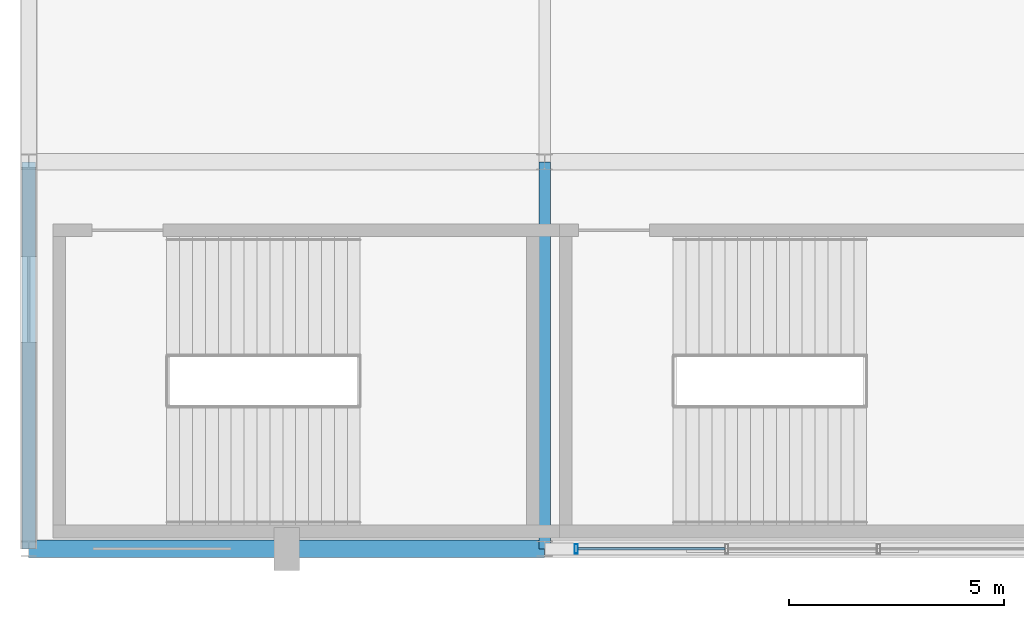
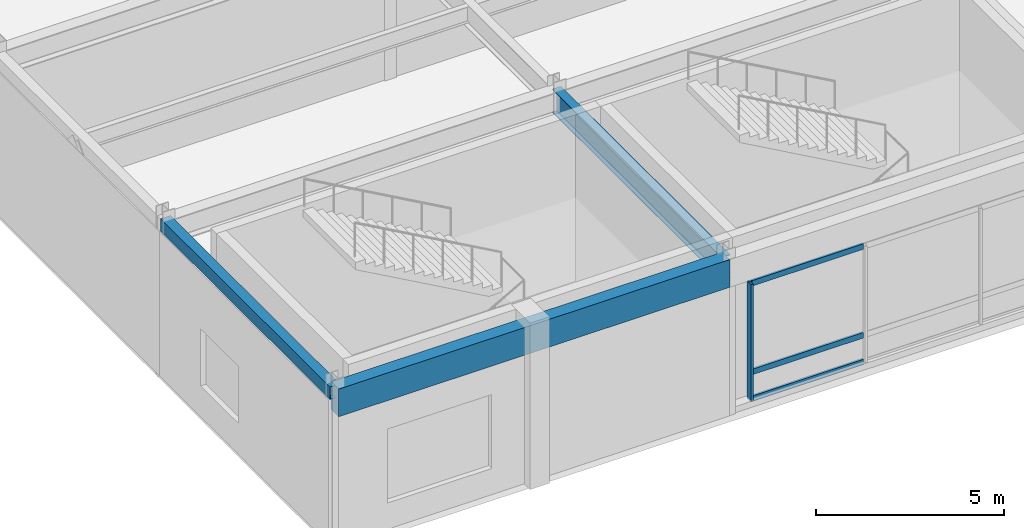
# One storey, part 19 of 100: 4 members, 3 beams, 1 element without a shape of its own.
"""IFC4 building model written with IfcOpenShell, lengths in metres."""

from ifc_helpers import new_model, si_unit, direction, frame, origin, origin_2d, place, context, subcontext, project, spatial, rectangle, hollow_rectangle, i_section, extrude, material, material_profile, profile_set, type_object, element, aggregate, save


model = new_model("IFC4")

# Units and contexts
model_context = context("Model", 3, precision=1e-05, world=origin(), true_north=direction((0.0, 1.0)))
body_context = subcontext(model_context, "Body", "Model", "MODEL_VIEW")
ifc_project = project(units=[si_unit("LENGTHUNIT", "METRE"), si_unit("AREAUNIT", "SQUARE_METRE"), si_unit("VOLUMEUNIT", "CUBIC_METRE"), si_unit("PLANEANGLEUNIT", "RADIAN"), si_unit("MASSUNIT", "GRAM", prefix="KILO")], contexts=[model_context])

# Site, building, storey
site_placement = place(None, origin())
site = spatial("IfcSite", under=ifc_project, at=site_placement, CompositionType="ELEMENT")
building_placement = place(site_placement, origin())
building = spatial("IfcBuilding", under=site, at=building_placement, Name="Kaldorvane Square Convention Centre", CompositionType="ELEMENT")
storey_placement = place(building_placement, frame((0.0, 0.0, 18.0)))
storey = spatial("IfcBuildingStorey", under=building, at=storey_placement, Name="L03", CompositionType="ELEMENT", Elevation=18.0)

# Beams
ifc_material_1 = material(Name="Steel ASTM A992 Gr. 50", Category="steel")
ifc_material_profile_1 = material_profile(ifc_material_1, i_section(OverallWidth=0.2666015625, OverallDepth=0.762298583984375, WebThickness=0.014404296875, FlangeThickness=0.0216064453125, FilletRadius=0.0164947509765625, at=origin_2d()), Name="W30X116")
ifc_profile_set_1 = profile_set([ifc_material_profile_1], Name="Steel ASTM A992 Gr. 50")
beam_type_1 = type_object("IfcBeamType", Name="BM-GR-W30X116", PredefinedType="BEAM", material=ifc_profile_set_1)
beam_1_placement = place(storey_placement, frame((12.0, 0.0, 4.694793701171875), z_axis=(0.0, 1.0, 0.0), x_axis=(-1.0, 0.0, 0.0)))
element("IfcBeam", 1, at=beam_1_placement, inside=storey, type_object=beam_type_1, Name="Transverse Girder (L03)", PredefinedType="BEAM", context=body_context, shape_type="SweptSolid", body=[
    extrude(i_section(OverallWidth=0.2666015625, OverallDepth=0.762298583984375, WebThickness=0.014404296875, FlangeThickness=0.0216064453125, FilletRadius=0.0164947509765625, at=origin_2d()), origin(), (0.0, 0.0, 1.0), 9.0),
])
ifc_material_2 = material(Name="Steel ASTM A500 Gr. C", Category="steel")
ifc_material_profile_2 = material_profile(ifc_material_2, hollow_rectangle(XDim=0.3047943115234375, YDim=0.406402587890625, WallThickness=0.0117950439453125, at=origin_2d()), Name="HSS16X12X1/2")
ifc_profile_set_2 = profile_set([ifc_material_profile_2], Name="Steel ASTM A500 Gr. C")
beam_type_2 = type_object("IfcBeamType", Name="BM-SP-HSS16", PredefinedType="SPANDREL", material=ifc_profile_set_2)
beam_2_placement = place(storey_placement, frame((0.0, 0.0, 4.872802734375), z_axis=(0.0, 1.0, 0.0), x_axis=(-1.0, 0.0, 0.0)))
element("IfcBeam", 2, at=beam_2_placement, inside=storey, type_object=beam_type_2, Name="End Spandrel (L03)", PredefinedType="SPANDREL", context=body_context, shape_type="SweptSolid", body=[
    extrude(hollow_rectangle(XDim=0.3047943115234375, YDim=0.406402587890625, WallThickness=0.0117950439453125, at=origin_2d()), origin(), (0.0, 0.0, 1.0), 9.0),
])
ifc_material_3 = material(Name="Concrete f'c = 42 MPa (Normalweight)", Category="concrete")
ifc_material_profile_3 = material_profile(ifc_material_3, rectangle(XDim=0.399993896484375, YDim=0.899993896484375, at=origin_2d()), Name="RCSP900X400")
ifc_profile_set_3 = profile_set([ifc_material_profile_3], Name="Concrete f'c = 42 MPa (Normalweight)")
beam_type_3 = type_object("IfcBeamType", Name="BM-SP-RC900", PredefinedType="SPANDREL", material=ifc_profile_set_3)
beam_3_placement = place(storey_placement, frame((0.0, 0.0, 4.626007080078125), z_axis=(1.0, 0.0, 0.0), x_axis=(0.0, 1.0, 0.0)))
element("IfcBeam", 3, at=beam_3_placement, inside=storey, type_object=beam_type_3, Name="Perimeter Spandrel (L03)", PredefinedType="SPANDREL", context=body_context, shape_type="SweptSolid", body=[
    extrude(rectangle(XDim=0.399993896484375, YDim=0.899993896484375, at=origin_2d()), origin(), (0.0, 0.0, 1.0), 12.0),
])

# Curtain wall, members
ifc_material_4 = material(Name="Anodized Aluminum and Low-E Insulated Glazing", Category="aluminium")
curtain_wall_type = type_object("IfcCurtainWallType", Name="CW-UNI-P54-12", PredefinedType="USERDEFINED", material=ifc_material_4)
curtain_wall_placement = place(storey_placement, origin())
curtain_wall = element("IfcCurtainWall", 4, at=curtain_wall_placement, inside=storey, type_object=curtain_wall_type, Name="Curtain Wall CW-03 (L03)", ObjectType="UNITISED GLAZING", PredefinedType="USERDEFINED")
ifc_material_profile_4 = material_profile(ifc_material_4, hollow_rectangle(XDim=0.0749969482421875, YDim=0.220001220703125, WallThickness=0.003997802734375, at=origin_2d()), Name="CWM-220X75")
ifc_profile_set_4 = profile_set([ifc_material_profile_4], Name="Anodized Aluminum and Low-E Insulated Glazing")
member_type_1 = type_object("IfcMemberType", Name="CW-MUL-220", PredefinedType="MULLION", material=ifc_profile_set_4)
member_1_placement = place(storey_placement, frame((12.737503051757812, 0.0, 0.149993896484375), z_axis=(0.0, 0.0, 1.0), x_axis=(1.0, 0.0, 0.0)))
member_1 = element("IfcMember", 5, at=member_1_placement, type_object=member_type_1, Name="CW-03 mullion 1", PredefinedType="MULLION", context=body_context, shape_type="SweptSolid", body=[
    extrude(hollow_rectangle(XDim=0.0749969482421875, YDim=0.220001220703125, WallThickness=0.003997802734375, at=origin_2d()), origin(), (0.0, 0.0, 1.0), 3.8100128173828125),
])
ifc_material_profile_5 = material_profile(ifc_material_4, hollow_rectangle(XDim=0.06500244140625, YDim=0.17999267578125, WallThickness=0.0034942626953125, at=origin_2d()), Name="CWT-180X65")
ifc_profile_set_5 = profile_set([ifc_material_profile_5], Name="Anodized Aluminum and Low-E Insulated Glazing")
member_type_2 = type_object("IfcMemberType", Name="CW-TRN-180", PredefinedType="USERDEFINED", material=ifc_profile_set_5)
member_2_placement = place(storey_placement, frame((12.774993896484375, 0.0, 0.1824951171875), z_axis=(1.0, 0.0, 0.0), x_axis=(0.0, 1.0, 0.0)))
member_2 = element("IfcMember", 6, at=member_2_placement, type_object=member_type_2, Name="CW-03 transom 1.1", ObjectType="TRANSOM", PredefinedType="USERDEFINED", context=body_context, shape_type="SweptSolid", body=[
    extrude(hollow_rectangle(XDim=0.06500244140625, YDim=0.17999267578125, WallThickness=0.0034942626953125, at=origin_2d()), origin(), (0.0, 0.0, 1.0), 3.42083740234375),
])
member_3_placement = place(storey_placement, frame((12.774993896484375, 0.0, 1.0500030517578125), z_axis=(1.0, 0.0, 0.0), x_axis=(0.0, 1.0, 0.0)))
member_3 = element("IfcMember", 7, at=member_3_placement, type_object=member_type_2, Name="CW-03 transom 1.2", ObjectType="TRANSOM", PredefinedType="USERDEFINED", context=body_context, shape_type="SweptSolid", body=[
    extrude(hollow_rectangle(XDim=0.06500244140625, YDim=0.17999267578125, WallThickness=0.0034942626953125, at=origin_2d()), origin(), (0.0, 0.0, 1.0), 3.42083740234375),
])
member_4_placement = place(storey_placement, frame((12.774993896484375, 0.0, 3.9275054931640625), z_axis=(1.0, 0.0, 0.0), x_axis=(0.0, 1.0, 0.0)))
member_4 = element("IfcMember", 8, at=member_4_placement, type_object=member_type_2, Name="CW-03 transom 1.3", ObjectType="TRANSOM", PredefinedType="USERDEFINED", context=body_context, shape_type="SweptSolid", body=[
    extrude(hollow_rectangle(XDim=0.06500244140625, YDim=0.17999267578125, WallThickness=0.0034942626953125, at=origin_2d()), origin(), (0.0, 0.0, 1.0), 3.42083740234375),
])
aggregate(curtain_wall, [member_1, member_2, member_3, member_4])

save(model, "model.ifc")
